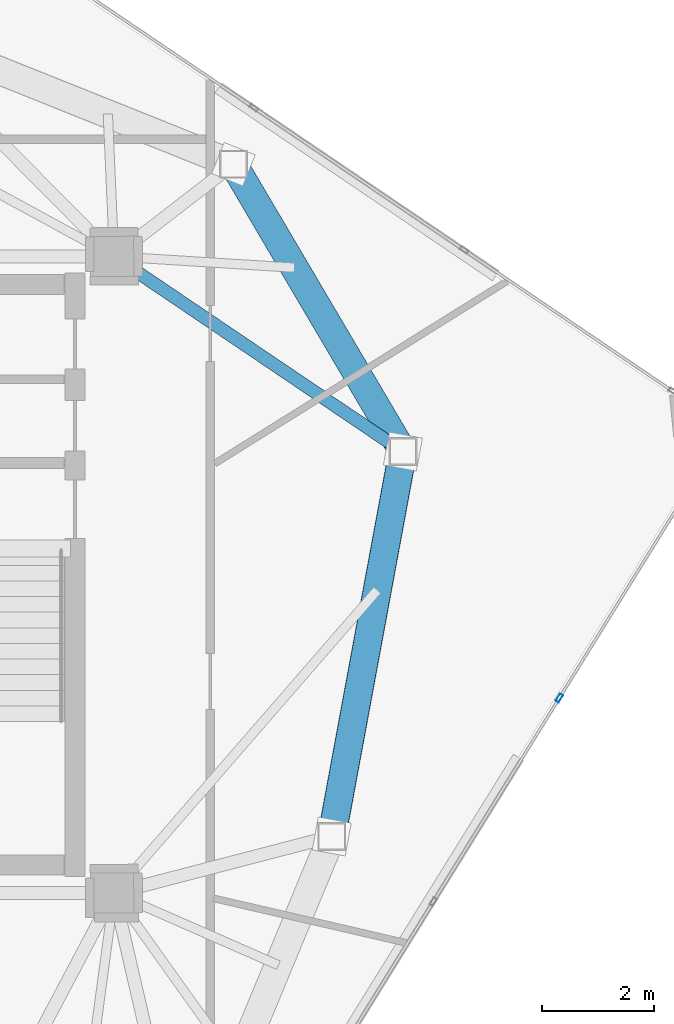
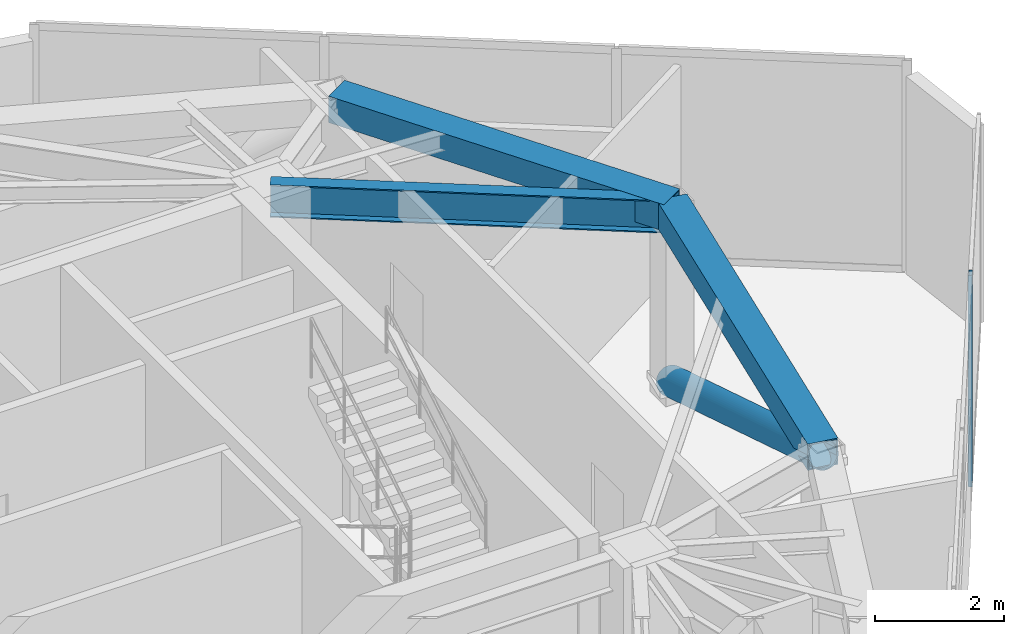
# One storey, part 13 of 21: 3 beams, 2 members, 1 element without a shape of its own.
"""IFC4 building model written with IfcOpenShell, lengths in metres."""

from ifc_helpers import new_model, si_unit, direction, frame, origin, origin_2d, place, context, subcontext, project, spatial, hollow_rectangle, hollow_circle, i_section, extrude, source, transform, mapped, material, layer, layer_set, material_profile, profile_set, type_object, type_shapes, element, aggregate, save


model = new_model("IFC4")

# Units and contexts
model_context = context("Model", 3, precision=1e-05, world=origin(), true_north=direction((0.0, 1.0)))
body_context = subcontext(model_context, "Body", "Model", "MODEL_VIEW")
ifc_project = project(units=[si_unit("LENGTHUNIT", "METRE"), si_unit("AREAUNIT", "SQUARE_METRE"), si_unit("VOLUMEUNIT", "CUBIC_METRE"), si_unit("PLANEANGLEUNIT", "RADIAN"), si_unit("MASSUNIT", "GRAM", prefix="KILO")], contexts=[model_context])

# Site, building, storey
site_placement = place(None, origin())
site = spatial("IfcSite", under=ifc_project, at=site_placement, CompositionType="ELEMENT")
building_placement = place(site_placement, origin())
building = spatial("IfcBuilding", under=site, at=building_placement, Name="Talar Marvaseh", CompositionType="ELEMENT")
storey_placement = place(building_placement, frame((0.0, 0.0, 300.0)))
storey = spatial("IfcBuildingStorey", under=building, at=storey_placement, Name="L80", CompositionType="ELEMENT", Elevation=300.0)

# Beams
ifc_material_1 = material(Name="Steel S460", Category="steel")
ifc_material_profile_1 = material_profile(ifc_material_1, hollow_rectangle(XDim=0.5, YDim=0.5, WallThickness=0.02490234375, at=origin_2d()), Name="BOX500x500x25")
ifc_profile_set_1 = profile_set([ifc_material_profile_1], Name="Steel S460")
beam_type_1 = type_object("IfcBeamType", Name="Crown Frame Top Ring Beam BOX500x500x25", PredefinedType="BEAM", material=ifc_profile_set_1)
beam_1_placement = place(storey_placement, frame((35.43798828125, 38.551025390625, 3.489990234375), z_axis=(0.507825587611, -0.861459907696, 0.0), x_axis=(0.861459907696, 0.507825587611, 0.0)))
element("IfcBeam", 1, at=beam_1_placement, inside=storey, type_object=beam_type_1, Name="L80 Crown Frame Top Ring Beam BOX500x500x25", PredefinedType="BEAM", context=body_context, shape_type="SweptSolid", body=[
    extrude(hollow_rectangle(XDim=0.5, YDim=0.5, WallThickness=0.02490234375, at=origin_2d()), origin(), (0.0, 0.0, 1.0), 5.972412109375),
])
beam_2_placement = place(storey_placement, frame((38.470947265625, 33.406005859375, 3.489990234375), z_axis=(-0.181759950929, -0.983342931148, 0.0), x_axis=(0.983342931148, -0.181759950929, 0.0)))
element("IfcBeam", 2, at=beam_2_placement, inside=storey, type_object=beam_type_1, Name="L80 Crown Frame Top Ring Beam BOX500x500x25", PredefinedType="BEAM", context=body_context, shape_type="SweptSolid", body=[
    extrude(hollow_rectangle(XDim=0.5, YDim=0.5, WallThickness=0.02490234375, at=origin_2d()), origin(), (0.0, 0.0, 1.0), 7.0087890625),
])
ifc_material_2 = material(Name="Steel S355", Category="steel")
ifc_material_profile_2 = material_profile(ifc_material_2, i_section(OverallWidth=0.22998046875, OverallDepth=0.616943359375, WebThickness=0.01318359375, FlangeThickness=0.022216796875, at=origin_2d()), Name="W610x140")
ifc_profile_set_2 = profile_set([ifc_material_profile_2], Name="Steel S355")
beam_type_2 = type_object("IfcBeamType", Name="Zone 4 Radial Floor Girder W610x140", PredefinedType="BEAM", material=ifc_profile_set_2)
beam_3_placement = place(storey_placement, frame((38.470947265625, 33.406005859375, 3.431396484375), z_axis=(-0.828585535277, 0.559862492698, 0.0), x_axis=(-0.559862492698, -0.828585535277, 0.0)))
element("IfcBeam", 3, at=beam_3_placement, inside=storey, type_object=beam_type_2, Name="L80 Zone 4 Radial Floor Girder W610x140", PredefinedType="BEAM", context=body_context, shape_type="SweptSolid", body=[
    extrude(i_section(OverallWidth=0.22998046875, OverallDepth=0.616943359375, WebThickness=0.01318359375, FlangeThickness=0.022216796875, at=origin_2d()), origin(), (0.0, 0.0, 1.0), 6.24072265625),
])

# Member
ifc_material_profile_3 = material_profile(ifc_material_1, hollow_circle(Radius=0.25390625, WallThickness=0.02001953125, at=origin_2d()), Name="CHS508x20")
ifc_profile_set_3 = profile_set([ifc_material_profile_3], Name="Steel S460")
member_type_1 = type_object("IfcMemberType", Name="Crown Frame Diagonal Brace CHS508x20", PredefinedType="BRACE", material=ifc_profile_set_3)
shared_shape_1 = source(origin(), body_context, "Body", "SweptSolid", [
    extrude(hollow_circle(Radius=0.25390625, WallThickness=0.02001953125, at=origin_2d()), origin(), (0.0, 0.0, 1.0), 7.721435546875),
])
type_shapes(member_type_1, [shared_shape_1])
member_1_placement = place(storey_placement, frame((38.470947265625, 33.406005859375, 0.25), z_axis=(-0.16498456322, -0.8925860904, 0.41960715571), x_axis=(0.983342931148, -0.181759950929, 0.0)))
element("IfcMember", 4, at=member_1_placement, inside=storey, type_object=member_type_1, Name="L80 Crown Frame Diagonal Brace 7", PredefinedType="BRACE", context=body_context, shape_type="MappedRepresentation", body=[
    mapped(shared_shape_1, transform((0.0, 0.0, 0.0), x_axis=(1.0, 0.0, 0.0), y_axis=(0.0, 1.0, 0.0), z_axis=(0.0, 0.0, 1.0), scale=1.0)),
])

# Curtain wall, member
ifc_material_3 = material(Name="Architectural Aluminium", Category="aluminium")
ifc_layer = layer(ifc_material_3, 0.2099609375)
ifc_layer_set = layer_set([ifc_layer], Name="Architectural Aluminium")
curtain_wall_type = type_object("IfcCurtainWallType", Name="Crown Plant Acoustic Spandrel Curtain Wall", PredefinedType="NOTDEFINED", material=ifc_layer_set)
curtain_wall_placement = place(storey_placement, origin())
curtain_wall = element("IfcCurtainWall", 5, at=curtain_wall_placement, inside=storey, type_object=curtain_wall_type, Name="L80 Crown Plant Acoustic Spandrel Curtain Wall", PredefinedType="NOTDEFINED")
ifc_material_profile_4 = material_profile(ifc_material_3, hollow_rectangle(XDim=0.06494140625, YDim=0.14990234375, WallThickness=0.00390625, at=origin_2d()), Name="RHS150x65x4")
ifc_profile_set_4 = profile_set([ifc_material_profile_4], Name="Architectural Aluminium")
member_type_2 = type_object("IfcMemberType", Name="Unitised Curtain Wall Slim Mullion RHS150x65x4", PredefinedType="MULLION", material=ifc_profile_set_4)
shared_shape_2 = source(origin(), body_context, "Body", "SweptSolid", [
    extrude(hollow_rectangle(XDim=0.06494140625, YDim=0.14990234375, WallThickness=0.00390625, at=origin_2d()), origin(), (0.0, 0.0, 1.0), 4.0),
])
type_shapes(member_type_2, [shared_shape_2])
member_2_placement = place(storey_placement, frame((41.27099609375, 28.990966796875, 0.0), z_axis=(0.0, 0.0, 1.0), x_axis=(0.850268129899, -0.526349795552, 0.0)))
member_2 = element("IfcMember", 6, at=member_2_placement, type_object=member_type_2, Name="CW-CRN mullion 2", PredefinedType="MULLION", context=body_context, shape_type="MappedRepresentation", body=[
    mapped(shared_shape_2, transform((0.0, 0.0, 0.0), x_axis=(1.0, 0.0, 0.0), y_axis=(0.0, 1.0, 0.0), z_axis=(0.0, 0.0, 1.0), scale=1.0)),
])
aggregate(curtain_wall, [member_2])

save(model, "model.ifc")
